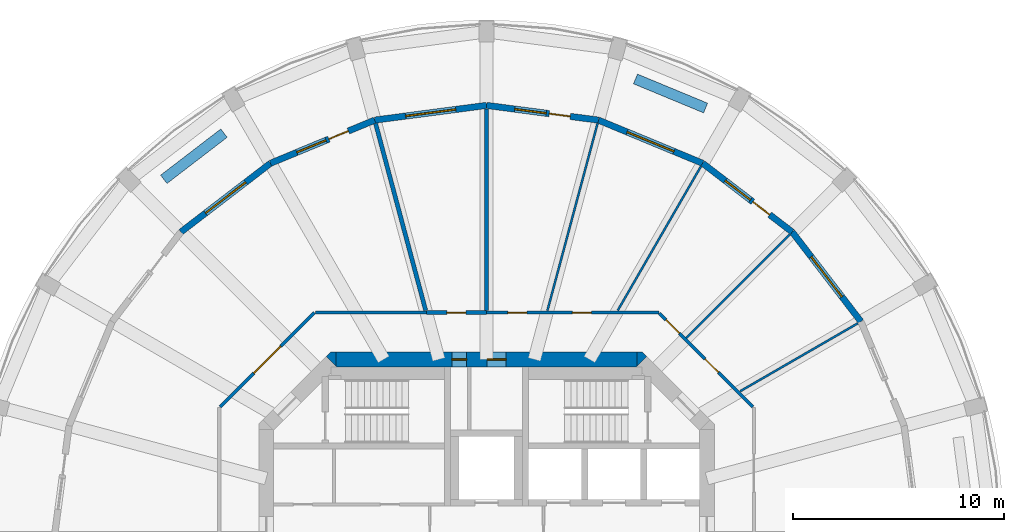
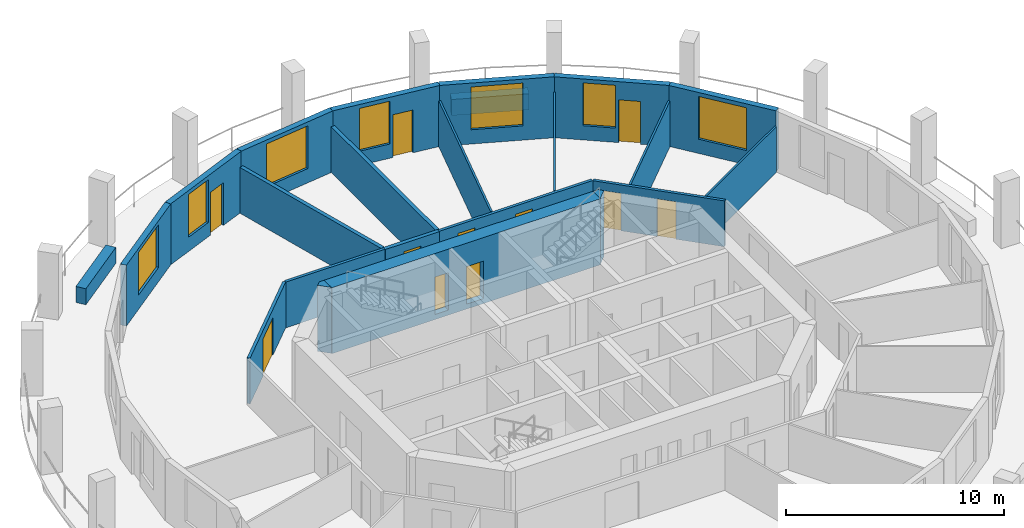
# One storey, part 6 of 9: 23 walls, 11 doors, 7 windows, 18 openings.
"""IFC4 building model written with IfcOpenShell, lengths in metres."""

import ifcopenshell
import ifcopenshell.guid

model = None  # the IFC model being written
_history = None  # IfcOwnerHistory: only IFC2X3 demands one
_inside = {}  # id of a spatial element -> (the spatial element, [elements in it])
_under = {}  # id of a project, library or spatial element -> (it, [spatial elements below it])
_declared = {}  # id of a project -> (the project, [libraries it declares])
_typed = {}  # id of a type object -> (the type object, [elements of that type])
_made_of = {}  # id of a material, layer set ... -> (it, [elements and type objects made of it])


def new_model(schema):
    """Start an empty IFC model of exactly this schema.

    Asked for "IFC4X3", IfcOpenShell would pick the latest addendum, in which some entities
    have other attributes; the version numbers below select the first issue.
    IFC2X3 requires an IfcOwnerHistory on every rooted entity: one is made here for all.
    """
    global model, _history
    if schema == "IFC4X3":
        model = ifcopenshell.file(schema_version=(4, 3, 0, 0))
    else:
        model = ifcopenshell.file(schema=schema)
    _inside.clear()
    _under.clear()
    _declared.clear()
    _typed.clear()
    _made_of.clear()
    _history = None
    if model.schema == "IFC2X3":
        org = make("IfcOrganization", Name="unknown")
        user = make(
            "IfcPersonAndOrganization",
            ThePerson=make("IfcPerson", FamilyName="unknown"),
            TheOrganization=org,
        )
        app = make(
            "IfcApplication",
            ApplicationDeveloper=org,
            Version="unknown",
            ApplicationFullName="unknown",
            ApplicationIdentifier="unknown",
        )
        _history = make(
            "IfcOwnerHistory",
            OwningUser=user,
            OwningApplication=app,
            ChangeAction="ADDED",
            CreationDate=0,
        )
    return model


def make(cls, **values):
    """One entity of the class cls with the attributes given. An attribute that is None is left unset."""
    return model.create_entity(
        cls, **{name: value for name, value in values.items() if value is not None}
    )


def rooted(cls, **values):
    """An entity with a GlobalId (a new one), such as an element, a storey or a relation."""
    return make(cls, GlobalId=ifcopenshell.guid.new(), OwnerHistory=_history, **values)


def si_unit(unit_type, name, prefix=None):
    """IfcSIUnit, for example si_unit("LENGTHUNIT", "METRE", prefix="MILLI")."""
    return make("IfcSIUnit", UnitType=unit_type, Prefix=prefix, Name=name)


def assignment(units):
    """IfcUnitAssignment: the units of a project."""
    return None if units is None else make("IfcUnitAssignment", Units=units)


def point(xyz):
    """IfcCartesianPoint."""
    return None if xyz is None else make("IfcCartesianPoint", Coordinates=xyz)


def direction(xyz):
    """IfcDirection."""
    return None if xyz is None else make("IfcDirection", DirectionRatios=xyz)


def frame(location, z_axis=None, x_axis=None):
    """IfcAxis2Placement3D, a coordinate frame: its origin and axes. An axis left out is left unset."""
    return make(
        "IfcAxis2Placement3D",
        Location=point(location),
        Axis=direction(z_axis),
        RefDirection=direction(x_axis),
    )


def frame_2d(location, x_axis=None):
    """IfcAxis2Placement2D, a coordinate frame in the plane: its origin and x axis."""
    return make(
        "IfcAxis2Placement2D", Location=point(location), RefDirection=direction(x_axis)
    )


def origin():
    """The frame at (0, 0, 0) with its axes left unset."""
    return frame((0.0, 0.0, 0.0))


def place(relative_to, where):
    """IfcLocalPlacement: puts the frame where relative to a parent placement (None: the world)."""
    return make(
        "IfcLocalPlacement", PlacementRelTo=relative_to, RelativePlacement=where
    )


def context(
    kind, dimensions, precision=None, world=None, true_north=None, identifier=None
):
    """IfcGeometricRepresentationContext, for example the 3D "Model" context."""
    return make(
        "IfcGeometricRepresentationContext",
        ContextIdentifier=identifier,
        ContextType=kind,
        CoordinateSpaceDimension=dimensions,
        Precision=precision,
        WorldCoordinateSystem=world,
        TrueNorth=true_north,
    )


def subcontext(parent, identifier, kind, view, scale=None):
    """IfcGeometricRepresentationSubContext, for example "Body" below "Model"."""
    return make(
        "IfcGeometricRepresentationSubContext",
        ContextIdentifier=identifier,
        ContextType=kind,
        ParentContext=parent,
        TargetScale=scale,
        TargetView=view,
    )


def project(units=None, contexts=None):
    """IfcProject with its units and contexts."""
    return rooted(
        "IfcProject",
        Name="project",
        RepresentationContexts=contexts,
        UnitsInContext=assignment(units),
    )


def spatial(cls, under=None, at=None, **own):
    """A site, building, storey or space (cls), placed at a placement, below another one or the project."""
    s = rooted(cls, ObjectPlacement=at, **own)
    if under is not None:
        _under.setdefault(under.id(), (under, []))[1].append(s)
    return s


def polyline(points):
    """IfcPolyline through the points."""
    return make("IfcPolyline", Points=[point(p) for p in points])


def profile(cls, at=None, kind="AREA", **sizes):
    """A parametric profile (cls). Its sizes go by their IFC names, for example OverallWidth=200.0."""
    return make(cls, ProfileType=kind, Position=at, **sizes)


def rectangle(**sizes):
    """IfcRectangleProfileDef."""
    return profile("IfcRectangleProfileDef", **sizes)


def outline(outer, holes=None, kind="AREA"):
    """IfcArbitraryClosedProfileDef: a profile drawn as a closed curve; with holes, ...WithVoids."""
    if holes is None:
        return make("IfcArbitraryClosedProfileDef", ProfileType=kind, OuterCurve=outer)
    return make(
        "IfcArbitraryProfileDefWithVoids",
        ProfileType=kind,
        OuterCurve=outer,
        InnerCurves=holes,
    )


def extrude(swept, where, along, depth):
    """IfcExtrudedAreaSolid: the profile swept, set in the frame where, extruded along a direction by depth."""
    return make(
        "IfcExtrudedAreaSolid",
        SweptArea=swept,
        Position=where,
        ExtrudedDirection=direction(along),
        Depth=depth,
    )


def shape(context_of_items, identifier, shape_type, items):
    """IfcShapeRepresentation: the items that make up one representation, for example the "Body"."""
    return make(
        "IfcShapeRepresentation",
        ContextOfItems=context_of_items,
        RepresentationIdentifier=identifier,
        RepresentationType=shape_type,
        Items=items,
    )


def material(Name=None, Category=None):
    """IfcMaterial."""
    return make("IfcMaterial", Name=Name, Category=Category)


def layer(
    of_material, thickness, ventilated=None, Name=None, Category=None, Priority=None
):
    """IfcMaterialLayer: one layer of a wall or slab, of a material (None: an air gap)."""
    return make(
        "IfcMaterialLayer",
        Material=of_material,
        LayerThickness=thickness,
        IsVentilated=ventilated,
        Name=Name,
        Category=Category,
        Priority=Priority,
    )


def layer_set(layers, Name=None):
    """IfcMaterialLayerSet."""
    return make("IfcMaterialLayerSet", MaterialLayers=layers, LayerSetName=Name)


def made_of(thing, what):
    """Note that an element or type object is made of a material, layer set ...; save() writes the relation."""
    if what is not None:
        _made_of.setdefault(what.id(), (what, []))[1].append(thing)
    return thing


def type_object(cls, material=None, **own):
    """A type object (cls), such as IfcWallType, which elements share."""
    return made_of(rooted(cls, **own), material)


def element(
    cls,
    number,
    at=None,
    inside=None,
    cuts=None,
    type_object=None,
    material=None,
    context=None,
    identifier="Body",
    shape_type=None,
    held_by="IfcProductDefinitionShape",
    body=None,
    shapes=None,
    **own,
):
    """One element of the class cls, such as IfcWall. Its Tag is "e" and its number.

    at: its placement. inside: the storey or other place that contains it. cuts: it is an
    opening in that element (IfcRelVoidsElement). A single representation is given by context,
    identifier, shape_type and body (its items); several are given by shapes. held_by: the class
    of the entity that holds the representations. save() writes the other relations.
    """
    e = rooted(cls, Tag="e%d" % number, ObjectPlacement=at, **own)
    if body is not None:
        shapes = [shape(context, identifier, shape_type, body)]
    if shapes is not None:
        e.Representation = make(held_by, Representations=shapes)
    if inside is not None:
        _inside.setdefault(inside.id(), (inside, []))[1].append(e)
    if cuts is not None:
        rooted(
            "IfcRelVoidsElement", RelatingBuildingElement=cuts, RelatedOpeningElement=e
        )
    if type_object is not None:
        _typed.setdefault(type_object.id(), (type_object, []))[1].append(e)
    return made_of(e, material)


def fill(opening, filler):
    """IfcRelFillsElement: the door or window that sits in an opening."""
    return rooted(
        "IfcRelFillsElement",
        RelatingOpeningElement=opening,
        RelatedBuildingElement=filler,
    )


def aggregate(whole, parts):
    """IfcRelAggregates: a whole, such as a stair, and the parts it consists of."""
    return rooted("IfcRelAggregates", RelatingObject=whole, RelatedObjects=parts)


def save(model, path):
    """Write the relations noted so far, then the file.

    IfcRelAggregates (storeys below a building ...), IfcRelContainedInSpatialStructure (elements
    in a storey), IfcRelDefinesByType, IfcRelAssociatesMaterial and IfcRelDeclares: one each for
    every whole, place, type object, material and project.
    """
    for whole, parts in _under.values():
        aggregate(whole, parts)
    for where, things in _inside.values():
        rooted(
            "IfcRelContainedInSpatialStructure",
            RelatedElements=things,
            RelatingStructure=where,
        )
    for kind, things in _typed.values():
        rooted("IfcRelDefinesByType", RelatedObjects=things, RelatingType=kind)
    for what, things in _made_of.values():
        rooted("IfcRelAssociatesMaterial", RelatedObjects=things, RelatingMaterial=what)
    for by, libraries in _declared.values():
        rooted("IfcRelDeclares", RelatingContext=by, RelatedDefinitions=libraries)
    model.write(path)


model = new_model("IFC4")

# Units and contexts
model_context = context("Model", 3, precision=1e-05, world=origin(), true_north=direction((0.0, 1.0)))
body_context = subcontext(model_context, "Body", "Model", "MODEL_VIEW")
ifc_project = project(units=[si_unit("LENGTHUNIT", "METRE"), si_unit("AREAUNIT", "SQUARE_METRE"), si_unit("VOLUMEUNIT", "CUBIC_METRE"), si_unit("PLANEANGLEUNIT", "RADIAN"), si_unit("MASSUNIT", "GRAM", prefix="KILO")], contexts=[model_context])

# Site, building, storey
site_placement = place(None, origin())
site = spatial("IfcSite", under=ifc_project, at=site_placement, CompositionType="ELEMENT")
building_placement = place(site_placement, origin())
building = spatial("IfcBuilding", under=site, at=building_placement, Name="Torre Triforio", CompositionType="ELEMENT")
storey_placement = place(building_placement, frame((0.0, 0.0, 229.800048828125)))
storey = spatial("IfcBuildingStorey", under=building, at=storey_placement, Name="L52", CompositionType="ELEMENT", Elevation=229.800048828125)

# Wall, openings, doors
ifc_material_1 = material(Name="Concrete C50", Category="concrete")
ifc_layer_1 = layer(ifc_material_1, 0.699951171875)
ifc_layer_set_1 = layer_set([ifc_layer_1], Name="Concrete C50")
wall_type_1 = type_object("IfcWallType", Name="Core wall 700 mm C50 EI 120", PredefinedType="SHEAR", material=ifc_layer_set_1)
wall_1_placement = place(storey_placement, frame((-7.1298828125, 8.449951171875, -0.280029296875), z_axis=(0.0, 0.0, 1.0), x_axis=(1.0, 0.0, 0.0)))
wall_1 = element("IfcWall", 1, at=wall_1_placement, inside=storey, type_object=wall_type_1, Name="Core wall", PredefinedType="SHEAR", context=body_context, shape_type="SweptSolid", body=[
    extrude(rectangle(XDim=14.259765625, YDim=0.699951171875, at=frame_2d((7.1298828125, 0.0))), origin(), (0.0, 0.0, 1.0), 3.699951171875),
])
opening_1_placement = place(wall_1_placement, frame((5.47998046875, 0.0, 0.280029296875)))
opening_1 = element("IfcOpeningElement", 2, at=opening_1_placement, cuts=wall_1, Name="Opening RISER-N", PredefinedType="OPENING", context=body_context, shape_type="SweptSolid", body=[
    extrude(rectangle(XDim=0.699951171875, YDim=2.10009765625, at=frame_2d((0.35009765625, 1.050048828125))), frame((0.0, 0.35986328125, 0.0), z_axis=(0.0, -1.0, 0.0), x_axis=(1.0, 0.0, 0.0)), (0.0, 0.0, 1.0), 0.719970703125),
])
opening_2_placement = place(wall_1_placement, frame((7.155029296875, 0.0, 0.280029296875)))
opening_2 = element("IfcOpeningElement", 3, at=opening_2_placement, cuts=wall_1, Name="Opening NE-01", PredefinedType="OPENING", context=body_context, shape_type="SweptSolid", body=[
    extrude(rectangle(XDim=0.89990234375, YDim=2.10009765625, at=frame_2d((0.449951171875, 1.050048828125))), frame((0.0, 0.35986328125, 0.0), z_axis=(0.0, -1.0, 0.0), x_axis=(1.0, 0.0, 0.0)), (0.0, 0.0, 1.0), 0.719970703125),
])
ifc_material_2 = material(Name="Hollow metal fire door leaf")
door_type_1 = type_object("IfcDoorType", Name="Riser door 700 x 2100 EI 60", OperationType="NOTDEFINED", PredefinedType="DOOR", material=ifc_material_2)
door_1_placement = place(opening_1_placement, origin())
door_1 = element("IfcDoor", 4, at=door_1_placement, inside=storey, type_object=door_type_1, Name="Core door RISER-N", OperationType="SINGLE_SWING_LEFT", OverallHeight=2.10009765625, OverallWidth=0.699951171875, PredefinedType="DOOR", context=body_context, shape_type="SweptSolid", body=[
    extrude(rectangle(XDim=0.699951171875, YDim=2.10009765625, at=frame_2d((0.35009765625, 1.050048828125))), frame((0.0, 0.02490234375, 0.0), z_axis=(0.0, -1.0, 0.0), x_axis=(1.0, 0.0, 0.0)), (0.0, 0.0, 1.0), 0.050048828125),
])
fill(opening_1, door_1)
door_type_2 = type_object("IfcDoorType", Name="Room door 900 x 2100 EI 60", OperationType="NOTDEFINED", PredefinedType="DOOR", material=ifc_material_2)
door_2_placement = place(opening_2_placement, origin())
door_2 = element("IfcDoor", 5, at=door_2_placement, inside=storey, type_object=door_type_2, Name="Core door NE-01", OperationType="SINGLE_SWING_RIGHT", OverallHeight=2.10009765625, OverallWidth=0.89990234375, PredefinedType="DOOR", context=body_context, shape_type="SweptSolid", body=[
    extrude(rectangle(XDim=0.89990234375, YDim=2.10009765625, at=frame_2d((0.449951171875, 1.050048828125))), frame((0.0, 0.02490234375, 0.0), z_axis=(0.0, -1.0, 0.0), x_axis=(1.0, 0.0, 0.0)), (0.0, 0.0, 1.0), 0.050048828125),
])
fill(opening_2, door_2)

# Walls
wall_2_placement = place(storey_placement, frame((0.0, 0.0, -0.280029296875)))
element("IfcWall", 6, at=wall_2_placement, inside=storey, type_object=wall_type_1, Name="Core wall", PredefinedType="SHEAR", context=body_context, shape_type="SweptSolid", body=[
    extrude(outline(polyline([(-7.389892578125, 8.800048828125), (-7.1298828125, 8.800048828125), (-7.1298828125, 8.800048828125), (-7.1298828125, 8.1298828125), (-7.594970703125, 8.594970703125), (-7.594970703125, 8.594970703125), (-7.594970703125, 8.594970703125), (-7.389892578125, 8.800048828125)])), origin(), (0.0, 0.0, 1.0), 3.699951171875),
])
wall_3_placement = place(storey_placement, frame((0.0, 0.0, -0.280029296875)))
element("IfcWall", 7, at=wall_3_placement, inside=storey, type_object=wall_type_1, Name="Core wall", PredefinedType="SHEAR", context=body_context, shape_type="SweptSolid", body=[
    extrude(outline(polyline([(7.389892578125, 8.800048828125), (7.594970703125, 8.594970703125), (7.594970703125, 8.594970703125), (7.594970703125, 8.594970703125), (7.1298828125, 8.1298828125), (7.1298828125, 8.800048828125), (7.1298828125, 8.800048828125), (7.389892578125, 8.800048828125)])), origin(), (0.0, 0.0, 1.0), 3.699951171875),
])

# Wall, opening, door
ifc_material_3 = material(Name="Plasterboard on metal studs")
ifc_layer_2 = layer(ifc_material_3, 0.14990234375)
ifc_layer_set_2 = layer_set([ifc_layer_2], Name="Plasterboard on metal studs")
wall_type_2 = type_object("IfcWallType", Name="Corridor and tenancy wall 150 mm EI 60", PredefinedType="PARTITIONING", material=ifc_layer_set_2)
wall_4_placement = place(storey_placement, frame((-12.637939453125, 6.20361328125, 0.0), z_axis=(0.0, 0.0, 1.0), x_axis=(0.707106781187, 0.707106781187, 0.0)))
wall_4 = element("IfcWall", 8, at=wall_4_placement, inside=storey, type_object=wall_type_2, Name="Partition 5", PredefinedType="PARTITIONING", context=body_context, shape_type="SweptSolid", body=[
    extrude(rectangle(XDim=6.323486328125, YDim=0.14990234375, at=frame_2d((3.16162109375, 0.0))), origin(), (0.0, 0.0, 1.0), 2.570068359375),
])
opening_3_placement = place(wall_4_placement, frame((2.26171875, 0.0, 0.0)))
opening_3 = element("IfcOpeningElement", 9, at=opening_3_placement, cuts=wall_4, Name="Opening O7-01", PredefinedType="OPENING", context=body_context, shape_type="SweptSolid", body=[
    extrude(rectangle(XDim=1.800048828125, YDim=2.10009765625, at=frame_2d((0.89990234375, 1.050048828125))), frame((0.0, 0.0849609375, 0.0), z_axis=(0.0, -1.0, 0.0), x_axis=(1.0, 0.0, 0.0)), (0.0, 0.0, 1.0), 0.169921875),
])
ifc_material_4 = material(Name="Timber", Category="wood")
door_type_3 = type_object("IfcDoorType", Name="Door 1800 x 2100 double leaf EI 30", OperationType="DOUBLE_DOOR_SINGLE_SWING", PredefinedType="DOOR", material=ifc_material_4)
door_3_placement = place(opening_3_placement, origin())
door_3 = element("IfcDoor", 10, at=door_3_placement, inside=storey, type_object=door_type_3, Name="Door O7-01", OperationType="DOUBLE_DOOR_SINGLE_SWING", OverallHeight=2.10009765625, OverallWidth=1.800048828125, PredefinedType="DOOR", context=body_context, shape_type="SweptSolid", body=[
    extrude(rectangle(XDim=1.800048828125, YDim=2.10009765625, at=frame_2d((0.89990234375, 1.050048828125))), frame((0.0, 0.02490234375, 0.0), z_axis=(0.0, -1.0, 0.0), x_axis=(1.0, 0.0, 0.0)), (0.0, 0.0, 1.0), 0.050048828125),
])
fill(opening_3, door_3)

# Wall
wall_5_placement = place(storey_placement, frame((-8.114013671875, 10.675048828125, 0.0), z_axis=(0.0, 0.0, 1.0), x_axis=(1.0, 0.0, 0.0)))
element("IfcWall", 11, at=wall_5_placement, inside=storey, type_object=wall_type_2, Name="Partition 6", PredefinedType="PARTITIONING", context=body_context, shape_type="SweptSolid", body=[
    extrude(rectangle(XDim=5.253662109375, YDim=0.14990234375, at=frame_2d((2.626953125, 0.0))), origin(), (0.0, 0.0, 1.0), 2.570068359375),
])

# Wall, openings, doors
wall_6_placement = place(storey_placement, frame((0.0, 10.675048828125, 0.0), z_axis=(0.0, 0.0, 1.0), x_axis=(1.0, 0.0, 0.0)))
wall_6 = element("IfcWall", 12, at=wall_6_placement, inside=storey, type_object=wall_type_2, Name="Partition 8", PredefinedType="PARTITIONING", context=body_context, shape_type="SweptSolid", body=[
    extrude(rectangle(XDim=8.16650390625, YDim=0.14990234375, at=frame_2d((4.083251953125, 0.0))), origin(), (0.0, 0.0, 1.0), 2.570068359375),
])
opening_4_placement = place(wall_6_placement, frame((4.065673828125, 0.0, 0.0)))
opening_4 = element("IfcOpeningElement", 13, at=opening_4_placement, cuts=wall_6, Name="Opening O7-14", PredefinedType="OPENING", context=body_context, shape_type="SweptSolid", body=[
    extrude(rectangle(XDim=0.89990234375, YDim=2.10009765625, at=frame_2d((0.449951171875, 1.050048828125))), frame((0.0, 0.0849609375, 0.0), z_axis=(0.0, -1.0, 0.0), x_axis=(1.0, 0.0, 0.0)), (0.0, 0.0, 1.0), 0.169921875),
])
opening_5_placement = place(wall_6_placement, frame((1.006103515625, 0.0, 0.0)))
opening_5 = element("IfcOpeningElement", 14, at=opening_5_placement, cuts=wall_6, Name="Opening O7-15", PredefinedType="OPENING", context=body_context, shape_type="SweptSolid", body=[
    extrude(rectangle(XDim=0.89990234375, YDim=2.10009765625, at=frame_2d((0.449951171875, 1.050048828125))), frame((0.0, 0.0849609375, 0.0), z_axis=(0.0, -1.0, 0.0), x_axis=(1.0, 0.0, 0.0)), (0.0, 0.0, 1.0), 0.169921875),
])
door_type_4 = type_object("IfcDoorType", Name="Door 900 x 2100 single leaf EI 30", OperationType="NOTDEFINED", PredefinedType="DOOR", material=ifc_material_4)
door_4_placement = place(opening_4_placement, origin())
door_4 = element("IfcDoor", 15, at=door_4_placement, inside=storey, type_object=door_type_4, Name="Door O7-14", OperationType="SINGLE_SWING_LEFT", OverallHeight=2.10009765625, OverallWidth=0.89990234375, PredefinedType="DOOR", context=body_context, shape_type="SweptSolid", body=[
    extrude(rectangle(XDim=0.89990234375, YDim=2.10009765625, at=frame_2d((0.449951171875, 1.050048828125))), frame((0.0, 0.02490234375, 0.0), z_axis=(0.0, -1.0, 0.0), x_axis=(1.0, 0.0, 0.0)), (0.0, 0.0, 1.0), 0.050048828125),
])
fill(opening_4, door_4)
door_5_placement = place(opening_5_placement, origin())
door_5 = element("IfcDoor", 16, at=door_5_placement, inside=storey, type_object=door_type_4, Name="Door O7-15", OperationType="SINGLE_SWING_RIGHT", OverallHeight=2.10009765625, OverallWidth=0.89990234375, PredefinedType="DOOR", context=body_context, shape_type="SweptSolid", body=[
    extrude(rectangle(XDim=0.89990234375, YDim=2.10009765625, at=frame_2d((0.449951171875, 1.050048828125))), frame((0.0, 0.02490234375, 0.0), z_axis=(0.0, -1.0, 0.0), x_axis=(1.0, 0.0, 0.0)), (0.0, 0.0, 1.0), 0.050048828125),
])
fill(opening_5, door_5)

wall_7_placement = place(storey_placement, frame((8.20361328125, 10.637939453125, 0.0), z_axis=(0.0, 0.0, 1.0), x_axis=(0.707106781187, -0.707106781187, 0.0)))
wall_7 = element("IfcWall", 17, at=wall_7_placement, inside=storey, type_object=wall_type_2, Name="Partition 9", PredefinedType="PARTITIONING", context=body_context, shape_type="SweptSolid", body=[
    extrude(rectangle(XDim=6.27099609375, YDim=0.14990234375, at=frame_2d((3.135498046875, 0.0))), origin(), (0.0, 0.0, 1.0), 2.570068359375),
])
opening_6_placement = place(wall_7_placement, frame((3.056884765625, 0.0, 0.0)))
opening_6 = element("IfcOpeningElement", 18, at=opening_6_placement, cuts=wall_7, Name="Opening O7-12", PredefinedType="OPENING", context=body_context, shape_type="SweptSolid", body=[
    extrude(rectangle(XDim=0.89990234375, YDim=2.10009765625, at=frame_2d((0.449951171875, 1.050048828125))), frame((0.0, 0.0849609375, 0.0), z_axis=(0.0, -1.0, 0.0), x_axis=(1.0, 0.0, 0.0)), (0.0, 0.0, 1.0), 0.169921875),
])
opening_7_placement = place(wall_7_placement, frame((0.435546875, 0.0, 0.0)))
opening_7 = element("IfcOpeningElement", 19, at=opening_7_placement, cuts=wall_7, Name="Opening O7-13", PredefinedType="OPENING", context=body_context, shape_type="SweptSolid", body=[
    extrude(rectangle(XDim=0.89990234375, YDim=2.10009765625, at=frame_2d((0.449951171875, 1.050048828125))), frame((0.0, 0.0849609375, 0.0), z_axis=(0.0, -1.0, 0.0), x_axis=(1.0, 0.0, 0.0)), (0.0, 0.0, 1.0), 0.169921875),
])
door_6_placement = place(opening_6_placement, origin())
door_6 = element("IfcDoor", 20, at=door_6_placement, inside=storey, type_object=door_type_4, Name="Door O7-12", OperationType="SINGLE_SWING_LEFT", OverallHeight=2.10009765625, OverallWidth=0.89990234375, PredefinedType="DOOR", context=body_context, shape_type="SweptSolid", body=[
    extrude(rectangle(XDim=0.89990234375, YDim=2.10009765625, at=frame_2d((0.449951171875, 1.050048828125))), frame((0.0, 0.02490234375, 0.0), z_axis=(0.0, -1.0, 0.0), x_axis=(1.0, 0.0, 0.0)), (0.0, 0.0, 1.0), 0.050048828125),
])
fill(opening_6, door_6)
door_7_placement = place(opening_7_placement, origin())
door_7 = element("IfcDoor", 21, at=door_7_placement, inside=storey, type_object=door_type_4, Name="Door O7-13", OperationType="SINGLE_SWING_LEFT", OverallHeight=2.10009765625, OverallWidth=0.89990234375, PredefinedType="DOOR", context=body_context, shape_type="SweptSolid", body=[
    extrude(rectangle(XDim=0.89990234375, YDim=2.10009765625, at=frame_2d((0.449951171875, 1.050048828125))), frame((0.0, 0.02490234375, 0.0), z_axis=(0.0, -1.0, 0.0), x_axis=(1.0, 0.0, 0.0)), (0.0, 0.0, 1.0), 0.050048828125),
])
fill(opening_7, door_7)

# Walls
ifc_layer_3 = layer(ifc_material_3, 0.10009765625)
ifc_layer_set_3 = layer_set([ifc_layer_3], Name="Plasterboard on metal studs")
wall_type_3 = type_object("IfcWallType", Name="Partition 100 mm board on metal studs", PredefinedType="PARTITIONING", material=ifc_layer_set_3)
wall_8_placement = place(storey_placement, frame((12.025146484375, 6.94287109375, 0.0), z_axis=(0.0, 0.0, 1.0), x_axis=(0.866026773083, 0.499997628298, 0.0)))
element("IfcWall", 22, at=wall_8_placement, inside=storey, type_object=wall_type_3, Name="Partition 12", PredefinedType="PARTITIONING", context=body_context, shape_type="SweptSolid", body=[
    extrude(rectangle(XDim=6.451171875, YDim=0.10009765625, at=frame_2d((3.2255859375, 0.0))), origin(), (0.0, 0.0, 1.0), 2.570068359375),
])
wall_9_placement = place(storey_placement, frame((9.473876953125, 9.473876953125, 0.0), z_axis=(0.0, 0.0, 1.0), x_axis=(0.707106781187, 0.707106781187, 0.0)))
element("IfcWall", 23, at=wall_9_placement, inside=storey, type_object=wall_type_3, Name="Partition 13", PredefinedType="PARTITIONING", context=body_context, shape_type="SweptSolid", body=[
    extrude(rectangle(XDim=6.9384765625, YDim=0.10009765625, at=frame_2d((3.46923828125, 0.0))), origin(), (0.0, 0.0, 1.0), 2.570068359375),
])
wall_10_placement = place(storey_placement, frame((6.220703125, 10.774658203125, 0.0), z_axis=(0.0, 0.0, 1.0), x_axis=(0.500016891966, 0.866015650984, 0.0)))
element("IfcWall", 24, at=wall_10_placement, inside=storey, type_object=wall_type_3, Name="Partition 14", PredefinedType="PARTITIONING", context=body_context, shape_type="SweptSolid", body=[
    extrude(rectangle(XDim=7.895263671875, YDim=0.10009765625, at=frame_2d((3.94775390625, 0.0))), origin(), (0.0, 0.0, 1.0), 2.570068359375),
])
wall_11_placement = place(storey_placement, frame((2.88427734375, 10.764404296875, 0.0), z_axis=(0.0, 0.0, 1.0), x_axis=(0.258811310764, 0.965927898666, 0.0)))
element("IfcWall", 25, at=wall_11_placement, inside=storey, type_object=wall_type_3, Name="Partition 15", PredefinedType="PARTITIONING", context=body_context, shape_type="SweptSolid", body=[
    extrude(rectangle(XDim=9.192626953125, YDim=0.10009765625, at=frame_2d((4.59619140625, 0.0))), origin(), (0.0, 0.0, 1.0), 2.570068359375),
])

# Wall, opening, door
ifc_material_5 = material(Name="Masonry block", Category="masonry")
ifc_layer_4 = layer(ifc_material_5, 0.199951171875)
ifc_layer_set_4 = layer_set([ifc_layer_4], Name="Masonry block")
wall_type_4 = type_object("IfcWallType", Name="Plant room wall 200 mm block EI 120", PredefinedType="PARTITIONING", material=ifc_layer_set_4)
wall_12_placement = place(storey_placement, frame((-2.8603515625, 10.675048828125, 0.0), z_axis=(0.0, 0.0, 1.0), x_axis=(1.0, 0.0, 0.0)))
wall_12 = element("IfcWall", 26, at=wall_12_placement, inside=storey, type_object=wall_type_4, Name="Partition 7", PredefinedType="PARTITIONING", context=body_context, shape_type="SweptSolid", body=[
    extrude(rectangle(XDim=2.8603515625, YDim=0.199951171875, at=frame_2d((1.43017578125, 0.0))), origin(), (0.0, 0.0, 1.0), 2.570068359375),
])
opening_8_placement = place(wall_12_placement, frame((0.980224609375, 0.0, 0.0)))
opening_8 = element("IfcOpeningElement", 27, at=opening_8_placement, cuts=wall_12, Name="Opening O7-16", PredefinedType="OPENING", context=body_context, shape_type="SweptSolid", body=[
    extrude(rectangle(XDim=0.89990234375, YDim=2.10009765625, at=frame_2d((0.449951171875, 1.050048828125))), frame((0.0, 0.10986328125, 0.0), z_axis=(0.0, -1.0, 0.0), x_axis=(1.0, 0.0, 0.0)), (0.0, 0.0, 1.0), 0.219970703125),
])
door_type_5 = type_object("IfcDoorType", Name="Door 900 x 2100 single leaf EI 60", OperationType="NOTDEFINED", PredefinedType="DOOR", material=ifc_material_2)
door_8_placement = place(opening_8_placement, origin())
door_8 = element("IfcDoor", 28, at=door_8_placement, inside=storey, type_object=door_type_5, Name="Door O7-16", OperationType="SINGLE_SWING_LEFT", OverallHeight=2.10009765625, OverallWidth=0.89990234375, PredefinedType="DOOR", context=body_context, shape_type="SweptSolid", body=[
    extrude(rectangle(XDim=0.89990234375, YDim=2.10009765625, at=frame_2d((0.449951171875, 1.050048828125))), frame((0.0, 0.02490234375, 0.0), z_axis=(0.0, -1.0, 0.0), x_axis=(1.0, 0.0, 0.0)), (0.0, 0.0, 1.0), 0.050048828125),
])
fill(opening_8, door_8)

# Walls
wall_13_placement = place(storey_placement, frame((0.0, 10.77490234375, 0.0), z_axis=(0.0, 0.0, 1.0), x_axis=(0.0, 1.0, 0.0)))
element("IfcWall", 29, at=wall_13_placement, inside=storey, type_object=wall_type_4, Name="Partition 16", PredefinedType="PARTITIONING", context=body_context, shape_type="SweptSolid", body=[
    extrude(rectangle(XDim=9.561767578125, YDim=0.199951171875, at=frame_2d((4.78076171875, 0.0))), origin(), (0.0, 0.0, 1.0), 2.570068359375),
])
wall_14_placement = place(storey_placement, frame((-2.887451171875, 10.7763671875, 0.0), z_axis=(0.0, 0.0, 1.0), x_axis=(-0.258814513846, 0.965927040424, 0.0)))
element("IfcWall", 30, at=wall_14_placement, inside=storey, type_object=wall_type_4, Name="Partition 17", PredefinedType="PARTITIONING", context=body_context, shape_type="SweptSolid", body=[
    extrude(rectangle(XDim=9.18017578125, YDim=0.199951171875, at=frame_2d((4.590087890625, 0.0))), origin(), (0.0, 0.0, 1.0), 2.570068359375),
])
ifc_material_6 = material(Name="Limestone cladding", Category="masonry")
ifc_layer_5 = layer(ifc_material_6, 0.10009765625)
ifc_material_7 = material(Name="Concrete C40", Category="concrete")
ifc_layer_6 = layer(ifc_material_7, 0.39990234375)
ifc_layer_set_5 = layer_set([ifc_layer_5, ifc_layer_6], Name="Limestone cladding / Concrete C40")
wall_type_5 = type_object("IfcWallType", Name="Planter wall 500", PredefinedType="PARAPET", material=ifc_layer_set_5)
for number, where, z_axis, x_axis, name in (
    (31, (10.38818359375, 20.37548828125, 0.0), (0.0, 0.0, 1.0), (-0.923851510231, 0.38275107713, 0.0), "Planter L52 bay 05"),
    (32, (-12.45166015625, 19.18408203125, 0.0), (0.0, 0.0, 1.0), (-0.793384730612, -0.608720518162, 0.0), "Planter L52 bay 09"),
):
    element("IfcWall", number, at=place(storey_placement, frame(where, z_axis=z_axis, x_axis=x_axis)), inside=storey, type_object=wall_type_5, Name=name, PredefinedType="PARAPET", context=body_context, shape_type="SweptSolid", body=[
        extrude(rectangle(XDim=3.60009765625, YDim=0.5, at=frame_2d((1.800048828125, 0.0))), origin(), (0.0, 0.0, 1.0), 0.89990234375),
    ])

# Wall, opening, window
ifc_layer_7 = layer(ifc_material_6, 0.10009765625)
ifc_layer_8 = layer(ifc_material_7, 0.199951171875)
ifc_layer_set_6 = layer_set([ifc_layer_7, ifc_layer_8], Name="Limestone cladding / Concrete C40")
wall_type_6 = type_object("IfcWallType", Name="Stone-faced composite wall 300", PredefinedType="STANDARD", material=ifc_layer_set_6)
wall_15_placement = place(storey_placement, frame((17.75341796875, 10.25, 0.0), z_axis=(0.0, 0.0, 1.0), x_axis=(-0.60876670321, 0.793349293227, 0.0)))
wall_15 = element("IfcWall", 33, at=wall_15_placement, inside=storey, type_object=wall_type_6, Name="External wall L52 bay 03", PredefinedType="STANDARD", context=body_context, shape_type="SweptSolid", body=[
    extrude(rectangle(XDim=5.3515625, YDim=0.300048828125, at=frame_2d((2.67578125, 0.0))), origin(), (0.0, 0.0, 1.0), 3.419921875),
])
opening_9_placement = place(wall_15_placement, frame((1.475830078125, 0.0, 0.800048828125)))
opening_9 = element("IfcOpeningElement", 34, at=opening_9_placement, cuts=wall_15, Name="Opening O7-W03", PredefinedType="OPENING", context=body_context, shape_type="SweptSolid", body=[
    extrude(rectangle(XDim=2.39990234375, YDim=2.39990234375, at=frame_2d((1.199951171875, 1.199951171875))), frame((0.0, 0.159912109375, 0.0), z_axis=(0.0, -1.0, 0.0), x_axis=(1.0, 0.0, 0.0)), (0.0, 0.0, 1.0), 0.320068359375),
])
ifc_material_8 = material(Name="Aluminium frame with clear double glazing", Category="aluminium")
window_type_1 = type_object("IfcWindowType", Name="Punched window 2400 x 2400", PartitioningType="DOUBLE_PANEL_VERTICAL", PredefinedType="WINDOW", material=ifc_material_8)
window_1_placement = place(opening_9_placement, origin())
window_1 = element("IfcWindow", 35, at=window_1_placement, inside=storey, type_object=window_type_1, Name="Window EWN4 L52 bay 03", OverallHeight=2.39990234375, OverallWidth=2.39990234375, PartitioningType="SINGLE_PANEL", PredefinedType="WINDOW", context=body_context, shape_type="SweptSolid", body=[
    extrude(rectangle(XDim=2.39990234375, YDim=2.39990234375, at=frame_2d((1.199951171875, 1.199951171875))), frame((0.0, 0.030029296875, 0.0), z_axis=(0.0, -1.0, 0.0), x_axis=(1.0, 0.0, 0.0)), (0.0, 0.0, 1.0), 0.06005859375),
])
fill(opening_9, window_1)

# Wall, openings, door, window
wall_16_placement = place(storey_placement, frame((14.49560546875, 14.49560546875, 0.0), z_axis=(0.0, 0.0, 1.0), x_axis=(-0.793349293227, 0.60876670321, 0.0)))
wall_16 = element("IfcWall", 36, at=wall_16_placement, inside=storey, type_object=wall_type_6, Name="External wall L52 bay 04", PredefinedType="STANDARD", context=body_context, shape_type="SweptSolid", body=[
    extrude(rectangle(XDim=5.3515625, YDim=0.300048828125, at=frame_2d((2.67578125, 0.0))), origin(), (0.0, 0.0, 1.0), 3.419921875),
])
opening_10_placement = place(wall_16_placement, frame((1.350830078125, 0.0, 0.0)))
opening_10 = element("IfcOpeningElement", 37, at=opening_10_placement, cuts=wall_16, Name="Opening O7-D04", PredefinedType="OPENING", context=body_context, shape_type="SweptSolid", body=[
    extrude(rectangle(XDim=1.0, YDim=2.39990234375, at=frame_2d((0.5, 1.199951171875))), frame((0.0, 0.159912109375, 0.0), z_axis=(0.0, -1.0, 0.0), x_axis=(1.0, 0.0, 0.0)), (0.0, 0.0, 1.0), 0.320068359375),
])
opening_11_placement = place(wall_16_placement, frame((2.500732421875, 0.0, 0.800048828125)))
opening_11 = element("IfcOpeningElement", 38, at=opening_11_placement, cuts=wall_16, Name="Opening O7-W04A", PredefinedType="OPENING", context=body_context, shape_type="SweptSolid", body=[
    extrude(rectangle(XDim=1.5, YDim=2.39990234375, at=frame_2d((0.75, 1.199951171875))), frame((0.0, 0.159912109375, 0.0), z_axis=(0.0, -1.0, 0.0), x_axis=(1.0, 0.0, 0.0)), (0.0, 0.0, 1.0), 0.320068359375),
])
door_type_6 = type_object("IfcDoorType", Name="Loggia door 1000 x 2400", OperationType="NOTDEFINED", PredefinedType="DOOR", material=ifc_material_8)
door_9_placement = place(opening_10_placement, origin())
door_9 = element("IfcDoor", 39, at=door_9_placement, inside=storey, type_object=door_type_6, Name="Loggia door L52 bay 04", OperationType="SINGLE_SWING_LEFT", OverallHeight=2.39990234375, OverallWidth=1.0, PredefinedType="DOOR", context=body_context, shape_type="SweptSolid", body=[
    extrude(rectangle(XDim=1.0, YDim=2.39990234375, at=frame_2d((0.5, 1.199951171875))), frame((0.0, 0.02490234375, 0.0), z_axis=(0.0, -1.0, 0.0), x_axis=(1.0, 0.0, 0.0)), (0.0, 0.0, 1.0), 0.050048828125),
])
fill(opening_10, door_9)
window_type_2 = type_object("IfcWindowType", Name="Side window 1500 x 2400", PartitioningType="SINGLE_PANEL", PredefinedType="WINDOW", material=ifc_material_8)
window_2_placement = place(opening_11_placement, origin())
window_2 = element("IfcWindow", 40, at=window_2_placement, inside=storey, type_object=window_type_2, Name="Side window EWN14 L52 bay 04", OverallHeight=2.39990234375, OverallWidth=1.5, PartitioningType="SINGLE_PANEL", PredefinedType="WINDOW", context=body_context, shape_type="SweptSolid", body=[
    extrude(rectangle(XDim=1.5, YDim=2.39990234375, at=frame_2d((0.75, 1.199951171875))), frame((0.0, 0.030029296875, 0.0), z_axis=(0.0, -1.0, 0.0), x_axis=(1.0, 0.0, 0.0)), (0.0, 0.0, 1.0), 0.06005859375),
])
fill(opening_11, window_2)

# Wall, opening, window
wall_17_placement = place(storey_placement, frame((10.25, 17.75341796875, 0.0), z_axis=(0.0, 0.0, 1.0), x_axis=(-0.923867255172, 0.382713071139, 0.0)))
wall_17 = element("IfcWall", 41, at=wall_17_placement, inside=storey, type_object=wall_type_6, Name="External wall L52 bay 05", PredefinedType="STANDARD", context=body_context, shape_type="SweptSolid", body=[
    extrude(rectangle(XDim=5.3515625, YDim=0.300048828125, at=frame_2d((2.67578125, 0.0))), origin(), (0.0, 0.0, 1.0), 3.419921875),
])
opening_12_placement = place(wall_17_placement, frame((1.475830078125, 0.0, 0.800048828125)))
opening_12 = element("IfcOpeningElement", 42, at=opening_12_placement, cuts=wall_17, Name="Opening O7-W05", PredefinedType="OPENING", context=body_context, shape_type="SweptSolid", body=[
    extrude(rectangle(XDim=2.39990234375, YDim=2.39990234375, at=frame_2d((1.199951171875, 1.199951171875))), frame((0.0, 0.159912109375, 0.0), z_axis=(0.0, -1.0, 0.0), x_axis=(1.0, 0.0, 0.0)), (0.0, 0.0, 1.0), 0.320068359375),
])
window_3_placement = place(opening_12_placement, origin())
window_3 = element("IfcWindow", 43, at=window_3_placement, inside=storey, type_object=window_type_1, Name="Window EWN4 L52 bay 05", OverallHeight=2.39990234375, OverallWidth=2.39990234375, PartitioningType="SINGLE_PANEL", PredefinedType="WINDOW", context=body_context, shape_type="SweptSolid", body=[
    extrude(rectangle(XDim=2.39990234375, YDim=2.39990234375, at=frame_2d((1.199951171875, 1.199951171875))), frame((0.0, 0.030029296875, 0.0), z_axis=(0.0, -1.0, 0.0), x_axis=(1.0, 0.0, 0.0)), (0.0, 0.0, 1.0), 0.06005859375),
])
fill(opening_12, window_3)

# Wall, openings, door, window
wall_18_placement = place(storey_placement, frame((5.305908203125, 19.801513671875, 0.0), z_axis=(0.0, 0.0, 1.0), x_axis=(-0.991446064069, 0.130517056518, 0.0)))
wall_18 = element("IfcWall", 44, at=wall_18_placement, inside=storey, type_object=wall_type_6, Name="External wall L52 bay 06", PredefinedType="STANDARD", context=body_context, shape_type="SweptSolid", body=[
    extrude(rectangle(XDim=5.351806640625, YDim=0.300048828125, at=frame_2d((2.67578125, 0.0))), origin(), (0.0, 0.0, 1.0), 3.419921875),
])
opening_13_placement = place(wall_18_placement, frame((1.350830078125, 0.0, 0.0)))
opening_13 = element("IfcOpeningElement", 45, at=opening_13_placement, cuts=wall_18, Name="Opening O7-D06", PredefinedType="OPENING", context=body_context, shape_type="SweptSolid", body=[
    extrude(rectangle(XDim=1.0, YDim=2.39990234375, at=frame_2d((0.5, 1.199951171875))), frame((0.0, 0.159912109375, 0.0), z_axis=(0.0, -1.0, 0.0), x_axis=(1.0, 0.0, 0.0)), (0.0, 0.0, 1.0), 0.320068359375),
])
opening_14_placement = place(wall_18_placement, frame((2.500732421875, 0.0, 0.800048828125)))
opening_14 = element("IfcOpeningElement", 46, at=opening_14_placement, cuts=wall_18, Name="Opening O7-W06A", PredefinedType="OPENING", context=body_context, shape_type="SweptSolid", body=[
    extrude(rectangle(XDim=1.5, YDim=2.39990234375, at=frame_2d((0.75, 1.199951171875))), frame((0.0, 0.159912109375, 0.0), z_axis=(0.0, -1.0, 0.0), x_axis=(1.0, 0.0, 0.0)), (0.0, 0.0, 1.0), 0.320068359375),
])
door_10_placement = place(opening_13_placement, origin())
door_10 = element("IfcDoor", 47, at=door_10_placement, inside=storey, type_object=door_type_6, Name="Loggia door L52 bay 06", OperationType="SINGLE_SWING_LEFT", OverallHeight=2.39990234375, OverallWidth=1.0, PredefinedType="DOOR", context=body_context, shape_type="SweptSolid", body=[
    extrude(rectangle(XDim=1.0, YDim=2.39990234375, at=frame_2d((0.5, 1.199951171875))), frame((0.0, 0.02490234375, 0.0), z_axis=(0.0, -1.0, 0.0), x_axis=(1.0, 0.0, 0.0)), (0.0, 0.0, 1.0), 0.050048828125),
])
fill(opening_13, door_10)
window_4_placement = place(opening_14_placement, origin())
window_4 = element("IfcWindow", 48, at=window_4_placement, inside=storey, type_object=window_type_2, Name="Side window EWN14 L52 bay 06", OverallHeight=2.39990234375, OverallWidth=1.5, PartitioningType="SINGLE_PANEL", PredefinedType="WINDOW", context=body_context, shape_type="SweptSolid", body=[
    extrude(rectangle(XDim=1.5, YDim=2.39990234375, at=frame_2d((0.75, 1.199951171875))), frame((0.0, 0.030029296875, 0.0), z_axis=(0.0, -1.0, 0.0), x_axis=(1.0, 0.0, 0.0)), (0.0, 0.0, 1.0), 0.06005859375),
])
fill(opening_14, window_4)

# Wall, opening, window
wall_19_placement = place(storey_placement, frame((0.0, 20.5, 0.0), z_axis=(0.0, 0.0, 1.0), x_axis=(-0.991446064069, -0.130517056518, 0.0)))
wall_19 = element("IfcWall", 49, at=wall_19_placement, inside=storey, type_object=wall_type_6, Name="External wall L52 bay 07", PredefinedType="STANDARD", context=body_context, shape_type="SweptSolid", body=[
    extrude(rectangle(XDim=5.351806640625, YDim=0.300048828125, at=frame_2d((2.67578125, 0.0))), origin(), (0.0, 0.0, 1.0), 3.419921875),
])
opening_15_placement = place(wall_19_placement, frame((1.475830078125, 0.0, 0.800048828125)))
opening_15 = element("IfcOpeningElement", 50, at=opening_15_placement, cuts=wall_19, Name="Opening O7-W07", PredefinedType="OPENING", context=body_context, shape_type="SweptSolid", body=[
    extrude(rectangle(XDim=2.39990234375, YDim=2.39990234375, at=frame_2d((1.199951171875, 1.199951171875))), frame((0.0, 0.159912109375, 0.0), z_axis=(0.0, -1.0, 0.0), x_axis=(1.0, 0.0, 0.0)), (0.0, 0.0, 1.0), 0.320068359375),
])
window_5_placement = place(opening_15_placement, origin())
window_5 = element("IfcWindow", 51, at=window_5_placement, inside=storey, type_object=window_type_1, Name="Window EWN4 L52 bay 07", OverallHeight=2.39990234375, OverallWidth=2.39990234375, PartitioningType="SINGLE_PANEL", PredefinedType="WINDOW", context=body_context, shape_type="SweptSolid", body=[
    extrude(rectangle(XDim=2.39990234375, YDim=2.39990234375, at=frame_2d((1.199951171875, 1.199951171875))), frame((0.0, 0.030029296875, 0.0), z_axis=(0.0, -1.0, 0.0), x_axis=(1.0, 0.0, 0.0)), (0.0, 0.0, 1.0), 0.06005859375),
])
fill(opening_15, window_5)

# Wall, openings, door, window
wall_20_placement = place(storey_placement, frame((-5.305908203125, 19.801513671875, 0.0), z_axis=(0.0, 0.0, 1.0), x_axis=(-0.923867255172, -0.382713071139, 0.0)))
wall_20 = element("IfcWall", 52, at=wall_20_placement, inside=storey, type_object=wall_type_6, Name="External wall L52 bay 08", PredefinedType="STANDARD", context=body_context, shape_type="SweptSolid", body=[
    extrude(rectangle(XDim=5.3515625, YDim=0.300048828125, at=frame_2d((2.67578125, 0.0))), origin(), (0.0, 0.0, 1.0), 3.419921875),
])
opening_16_placement = place(wall_20_placement, frame((1.350830078125, 0.0, 0.0)))
opening_16 = element("IfcOpeningElement", 53, at=opening_16_placement, cuts=wall_20, Name="Opening O7-D08", PredefinedType="OPENING", context=body_context, shape_type="SweptSolid", body=[
    extrude(rectangle(XDim=1.0, YDim=2.39990234375, at=frame_2d((0.5, 1.199951171875))), frame((0.0, 0.159912109375, 0.0), z_axis=(0.0, -1.0, 0.0), x_axis=(1.0, 0.0, 0.0)), (0.0, 0.0, 1.0), 0.320068359375),
])
opening_17_placement = place(wall_20_placement, frame((2.500732421875, 0.0, 0.800048828125)))
opening_17 = element("IfcOpeningElement", 54, at=opening_17_placement, cuts=wall_20, Name="Opening O7-W08A", PredefinedType="OPENING", context=body_context, shape_type="SweptSolid", body=[
    extrude(rectangle(XDim=1.5, YDim=2.39990234375, at=frame_2d((0.75, 1.199951171875))), frame((0.0, 0.159912109375, 0.0), z_axis=(0.0, -1.0, 0.0), x_axis=(1.0, 0.0, 0.0)), (0.0, 0.0, 1.0), 0.320068359375),
])
door_11_placement = place(opening_16_placement, origin())
door_11 = element("IfcDoor", 55, at=door_11_placement, inside=storey, type_object=door_type_6, Name="Loggia door L52 bay 08", OperationType="SINGLE_SWING_LEFT", OverallHeight=2.39990234375, OverallWidth=1.0, PredefinedType="DOOR", context=body_context, shape_type="SweptSolid", body=[
    extrude(rectangle(XDim=1.0, YDim=2.39990234375, at=frame_2d((0.5, 1.199951171875))), frame((0.0, 0.02490234375, 0.0), z_axis=(0.0, -1.0, 0.0), x_axis=(1.0, 0.0, 0.0)), (0.0, 0.0, 1.0), 0.050048828125),
])
fill(opening_16, door_11)
window_6_placement = place(opening_17_placement, origin())
window_6 = element("IfcWindow", 56, at=window_6_placement, inside=storey, type_object=window_type_2, Name="Side window EWN14 L52 bay 08", OverallHeight=2.39990234375, OverallWidth=1.5, PartitioningType="SINGLE_PANEL", PredefinedType="WINDOW", context=body_context, shape_type="SweptSolid", body=[
    extrude(rectangle(XDim=1.5, YDim=2.39990234375, at=frame_2d((0.75, 1.199951171875))), frame((0.0, 0.030029296875, 0.0), z_axis=(0.0, -1.0, 0.0), x_axis=(1.0, 0.0, 0.0)), (0.0, 0.0, 1.0), 0.06005859375),
])
fill(opening_17, window_6)

# Wall, opening, window
wall_21_placement = place(storey_placement, frame((-10.25, 17.75341796875, 0.0), z_axis=(0.0, 0.0, 1.0), x_axis=(-0.793349293227, -0.60876670321, 0.0)))
wall_21 = element("IfcWall", 57, at=wall_21_placement, inside=storey, type_object=wall_type_6, Name="External wall L52 bay 09", PredefinedType="STANDARD", context=body_context, shape_type="SweptSolid", body=[
    extrude(rectangle(XDim=5.3515625, YDim=0.300048828125, at=frame_2d((2.67578125, 0.0))), origin(), (0.0, 0.0, 1.0), 3.419921875),
])
opening_18_placement = place(wall_21_placement, frame((1.475830078125, 0.0, 0.800048828125)))
opening_18 = element("IfcOpeningElement", 58, at=opening_18_placement, cuts=wall_21, Name="Opening O7-W09", PredefinedType="OPENING", context=body_context, shape_type="SweptSolid", body=[
    extrude(rectangle(XDim=2.39990234375, YDim=2.39990234375, at=frame_2d((1.199951171875, 1.199951171875))), frame((0.0, 0.159912109375, 0.0), z_axis=(0.0, -1.0, 0.0), x_axis=(1.0, 0.0, 0.0)), (0.0, 0.0, 1.0), 0.320068359375),
])
window_7_placement = place(opening_18_placement, origin())
window_7 = element("IfcWindow", 59, at=window_7_placement, inside=storey, type_object=window_type_1, Name="Window EWN4 L52 bay 09", OverallHeight=2.39990234375, OverallWidth=2.39990234375, PartitioningType="SINGLE_PANEL", PredefinedType="WINDOW", context=body_context, shape_type="SweptSolid", body=[
    extrude(rectangle(XDim=2.39990234375, YDim=2.39990234375, at=frame_2d((1.199951171875, 1.199951171875))), frame((0.0, 0.030029296875, 0.0), z_axis=(0.0, -1.0, 0.0), x_axis=(1.0, 0.0, 0.0)), (0.0, 0.0, 1.0), 0.06005859375),
])
fill(opening_18, window_7)

save(model, "model.ifc")
